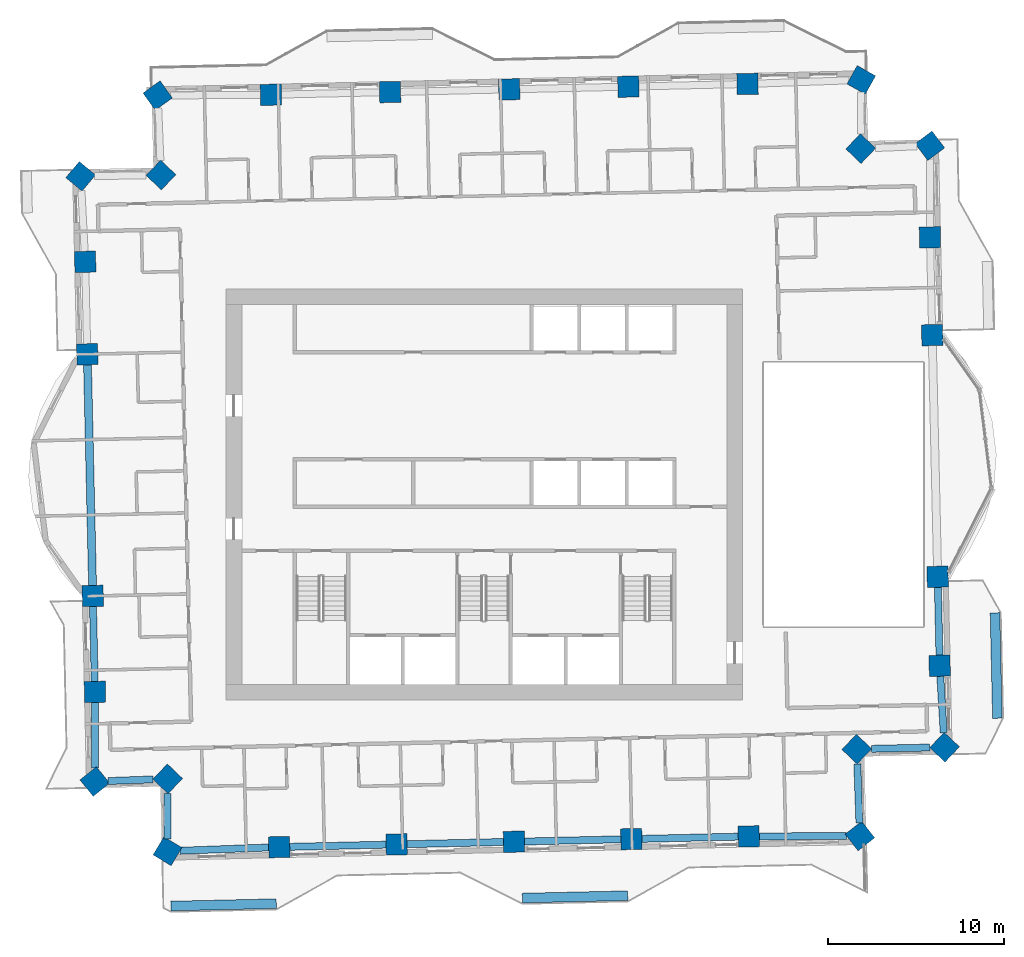
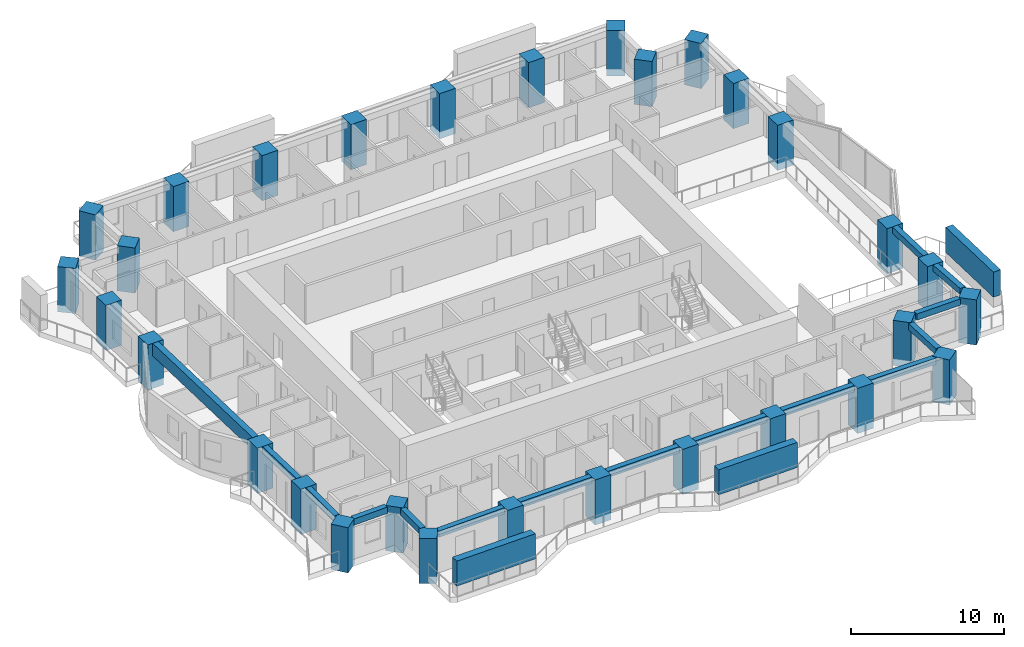
# One storey, part 1 of 16: 30 columns, 15 beams, 3 members.
"""IFC4 building model written with IfcOpenShell, lengths in metres."""

from ifc_helpers import new_model, si_unit, direction, frame, origin, origin_2d, place, context, subcontext, project, spatial, rectangle, extrude, material, material_profile, profile_set, type_object, element, save


model = new_model("IFC4")

# Units and contexts
model_context = context("Model", 3, precision=1e-05, world=origin(), true_north=direction((0.0, 1.0)))
body_context = subcontext(model_context, "Body", "Model", "MODEL_VIEW")
ifc_project = project(units=[si_unit("LENGTHUNIT", "METRE"), si_unit("AREAUNIT", "SQUARE_METRE"), si_unit("VOLUMEUNIT", "CUBIC_METRE"), si_unit("PLANEANGLEUNIT", "RADIAN"), si_unit("MASSUNIT", "GRAM", prefix="KILO")], contexts=[model_context])

# Site, building, storey
site_placement = place(None, origin())
site = spatial("IfcSite", under=ifc_project, at=site_placement, CompositionType="ELEMENT")
building_placement = place(site_placement, origin())
building = spatial("IfcBuilding", under=site, at=building_placement, Name="Mangrove Gate Tower", CompositionType="ELEMENT")
storey_placement = place(building_placement, frame((0.0, 0.0, 189.699951171875)))
storey = spatial("IfcBuildingStorey", under=building, at=storey_placement, Name="L48", CompositionType="ELEMENT", Elevation=189.699951171875)

# Columns
ifc_material_1 = material(Name="Concrete C60/75", Category="concrete")
ifc_material_profile_1 = material_profile(ifc_material_1, rectangle(XDim=1.199951171875, YDim=1.199951171875, at=origin_2d()))
ifc_profile_set_1 = profile_set([ifc_material_profile_1], Name="Concrete C60/75")
column_type = type_object("IfcColumnType", Name="Column RC 1200x1200 C60/75", PredefinedType="COLUMN", material=ifc_profile_set_1)
for number, where, z_axis, x_axis, name in (
    (1, (-22.278076171875, -5.769287109375, -0.550048828125), (0.0, 0.0, 1.0), (0.022693021881, -0.999742480221, 0.0), "Column L48 W05"),
    (2, (-22.154052734375, -11.2294921875, -0.550048828125), (0.0, 0.0, 1.0), (0.022702688514, -0.999742260752, 0.0), "Column L48 W06"),
    (3, (-22.162841796875, -16.32763671875, -0.550048828125), (0.0, 0.0, 1.0), (0.627363756843, -0.778726342562, 0.0), "Column L48 W07"),
    (4, (-18.016357421875, -16.17529296875, -0.550048828125), (0.0, 0.0, 1.0), (0.722919671176, -0.69093208713, 0.0), "Column L48 W08"),
    (5, (-18.0283203125, -20.29296875, -0.550048828125), (0.0, 0.0, 1.0), (0.858408426084, -0.512966835213, 0.0), "Column L48 S01"),
    (6, (-11.670654296875, -20.05712890625, -0.550048828125), (0.0, 0.0, 1.0), (0.99974280054, 0.022678905801, 0.0), "Column L48 S02"),
    (7, (-4.99267578125, -19.9052734375, -0.550048828125), (0.0, 0.0, 1.0), (0.999741061935, 0.022755418739, 0.0), "Column L48 S03"),
    (8, (1.685302734375, -19.753173828125, -0.550048828125), (0.0, 0.0, 1.0), (0.99974280054, 0.022678905801, 0.0), "Column L48 S04"),
    (9, (8.364501953125, -19.60205078125, -0.550048828125), (0.0, 0.0, 1.0), (0.99974280054, 0.022678905801, 0.0), "Column L48 S05"),
    (10, (15.04248046875, -19.4501953125, -0.550048828125), (0.0, 0.0, 1.0), (0.999742762144, 0.022680598335, 0.0), "Column L48 S06"),
    (11, (21.36376953125, -19.427001953125, -0.550048828125), (0.0, 0.0, 1.0), (0.786796358031, 0.617212678895, 0.0), "Column L48 S07"),
    (12, (21.187255859375, -14.485595703125, -0.550048828125), (0.0, 0.0, 1.0), (0.690872556232, 0.722976563275, 0.0), "Column L48 E01"),
    (13, (26.1826171875, -14.375244140625, -0.550048828125), (0.0, 0.0, 1.0), (0.686359333294, 0.727262583666, 0.0), "Column L48 E02"),
    (14, (25.904052734375, -9.739501953125, -0.550048828125), (0.0, 0.0, 1.0), (-0.022618201372, 0.99974417576, 0.0), "Column L48 E03"),
    (15, (25.7900390625, -4.678466796875, -0.550048828125), (0.0, 0.0, 1.0), (-0.022642926354, 0.999743616077, 0.0), "Column L48 E04"),
    (16, (25.478271484375, 9.0693359375, -0.550048828125), (0.0, 0.0, 1.0), (-0.022730815961, 0.999741621623, 0.0), "Column L48 E05"),
    (17, (25.35107421875, 14.62939453125, -0.550048828125), (0.0, 0.0, 1.0), (-0.022743867649, 0.999741324786, 0.0), "Column L48 E06"),
    (18, (25.345947265625, 19.8427734375, -0.550048828125), (0.0, 0.0, 1.0), (-0.60202964529, 0.798473735443, 0.0), "Column L48 E07"),
    (19, (21.411376953125, 19.68017578125, -0.550048828125), (0.0, 0.0, 1.0), (-0.722837628433, 0.691017917945, 0.0), "Column L48 E08"),
    (20, (21.44287109375, 23.58935546875, -0.550048828125), (0.0, 0.0, 1.0), (-0.87259482079, 0.488444755045, 0.0), "Column L48 N01"),
    (21, (14.970703125, 23.359130859375, -0.550048828125), (0.0, 0.0, 1.0), (-0.99974202573, -0.022713035648, 0.0), "Column L48 N02"),
    (22, (8.192626953125, 23.205078125, -0.550048828125), (0.0, 0.0, 1.0), (-0.999741987673, -0.022714710732, 0.0), "Column L48 N03"),
    (23, (1.41455078125, 23.05126953125, -0.550048828125), (0.0, 0.0, 1.0), (-0.999741987673, -0.022714710732, 0.0), "Column L48 N04"),
    (24, (-5.363525390625, 22.897216796875, -0.550048828125), (0.0, 0.0, 1.0), (-0.99974369748, -0.022639331897, 0.0), "Column L48 N05"),
    (25, (-12.142333984375, 22.744140625, -0.550048828125), (0.0, 0.0, 1.0), (-0.99974369748, -0.022639331897, 0.0), "Column L48 N06"),
    (26, (-18.5859375, 22.701171875, -0.550048828125), (0.0, 0.0, 1.0), (-0.814549066691, -0.580094662924, 0.0), "Column L48 N07"),
    (27, (-18.396240234375, 18.176513671875, -0.550048828125), (0.0, 0.0, 1.0), (-0.690859559249, -0.722988982899, 0.0), "Column L48 W01"),
    (28, (-22.967529296875, 18.1025390625, -0.550048828125), (0.0, 0.0, 1.0), (-0.640873753585, -0.767646293527, 0.0), "Column L48 W02"),
    (29, (-22.709228515625, 13.239501953125, -0.550048828125), (0.0, 0.0, 1.0), (0.022613490188, -0.999744282335, 0.0), "Column L48 W03"),
    (30, (-22.590087890625, 7.978515625, -0.550048828125), (0.0, 0.0, 1.0), (0.022667651322, -0.999743055782, 0.0), "Column L48 W04"),
):
    element("IfcColumn", number, at=place(storey_placement, frame(where, z_axis=z_axis, x_axis=x_axis)), inside=storey, type_object=column_type, Name=name, PredefinedType="COLUMN", context=body_context, shape_type="SweptSolid", body=[
        extrude(rectangle(XDim=1.199951171875, YDim=1.199951171875, at=origin_2d()), origin(), (0.0, 0.0, 1.0), 3.60009765625),
    ])

# Members
ifc_material_2 = material(Name="Planting on aluminium trellis", Category="aluminium")
ifc_material_profile_2 = material_profile(ifc_material_2, rectangle(XDim=0.550048828125, YDim=2.0, at=origin_2d()))
ifc_profile_set_2 = profile_set([ifc_material_profile_2], Name="Planting on aluminium trellis")
member_type = type_object("IfcMemberType", Name="Balcony greenery screen 550x2000", PredefinedType="USERDEFINED", material=ifc_profile_set_2)
member_placement = place(storey_placement, frame((29.18798828125, -12.72802734375, 1.800048828125), z_axis=(-0.022662255828, 0.999743178102, 0.0), x_axis=(-0.999743178102, -0.022662255828, 0.0)))
element("IfcMember", 31, at=member_placement, inside=storey, type_object=member_type, Name="GREEN SCREEN L48 E0.1", ObjectType="PLANTING", PredefinedType="USERDEFINED", context=body_context, shape_type="SweptSolid", body=[
    extrude(rectangle(XDim=0.550048828125, YDim=2.0, at=origin_2d()), origin(), (0.0, 0.0, 1.0), 6.00048828125),
])
for number, where, z_axis, x_axis, name in (
    (32, (-17.8359375, -23.412109375, 1.800048828125), (0.999742171567, 0.022706615587, 0.0), (-0.022706615587, 0.999742171567, 0.0), "GREEN SCREEN L48 S0.1"),
    (33, (2.158935546875, -22.958984375, 1.800048828125), (0.999743094499, 0.022665943652, 0.0), (-0.022665943652, 0.999743094499, 0.0), "GREEN SCREEN L48 S1.1"),
):
    element("IfcMember", number, at=place(storey_placement, frame(where, z_axis=z_axis, x_axis=x_axis)), inside=storey, type_object=member_type, Name=name, ObjectType="PLANTING", PredefinedType="USERDEFINED", context=body_context, shape_type="SweptSolid", body=[
        extrude(rectangle(XDim=0.550048828125, YDim=2.0, at=origin_2d()), origin(), (0.0, 0.0, 1.0), 5.99951171875),
    ])

# Beams
ifc_material_3 = material(Name="Concrete C50/60", Category="concrete")
ifc_material_profile_3 = material_profile(ifc_material_3, rectangle(XDim=0.39990234375, YDim=0.5, at=origin_2d()))
ifc_profile_set_3 = profile_set([ifc_material_profile_3], Name="Concrete C50/60")
beam_type_1 = type_object("IfcBeamType", Name="Edge beam RC 400x500 C50/60", PredefinedType="BEAM", material=ifc_profile_set_3)
beam_1_placement = place(storey_placement, frame((-22.2646484375, -6.369140625, 2.800048828125), z_axis=(0.022743528108, -0.99974133251, 0.0), x_axis=(0.99974133251, 0.022743528108, 0.0)))
element("IfcBeam", 34, at=beam_1_placement, inside=storey, type_object=beam_type_1, Name="Edge beam L48 00", PredefinedType="BEAM", context=body_context, shape_type="SweptSolid", body=[
    extrude(rectangle(XDim=0.39990234375, YDim=0.5, at=origin_2d()), origin(), (0.0, 0.0, 1.0), 4.26171875),
])
beam_2_placement = place(storey_placement, frame((-22.1552734375, -11.82958984375, 2.800048828125), z_axis=(-0.001637838474, -0.999998658742, 0.0), x_axis=(0.999998658742, -0.001637838474, 0.0)))
element("IfcBeam", 35, at=beam_2_placement, inside=storey, type_object=beam_type_1, Name="Edge beam L48 01", PredefinedType="BEAM", context=body_context, shape_type="SweptSolid", body=[
    extrude(rectangle(XDim=0.39990234375, YDim=0.5, at=origin_2d()), origin(), (0.0, 0.0, 1.0), 3.7265625),
])
beam_3_placement = place(storey_placement, frame((-21.414306640625, -16.300048828125, 2.800048828125), z_axis=(0.999327431399, 0.036669944824, 0.0), x_axis=(-0.036669944824, 0.999327431399, 0.0)))
element("IfcBeam", 36, at=beam_3_placement, inside=storey, type_object=beam_type_1, Name="Edge beam L48 02", PredefinedType="BEAM", context=body_context, shape_type="SweptSolid", body=[
    extrude(rectangle(XDim=0.39990234375, YDim=0.5, at=origin_2d()), origin(), (0.0, 0.0, 1.0), 2.563232421875),
])
beam_4_placement = place(storey_placement, frame((-18.018798828125, -17.0029296875, 2.800048828125), z_axis=(-0.002825379568, -0.999996008607, 0.0), x_axis=(0.999996008607, -0.002825379568, 0.0)))
element("IfcBeam", 37, at=beam_4_placement, inside=storey, type_object=beam_type_1, Name="Edge beam L48 03", PredefinedType="BEAM", context=body_context, shape_type="SweptSolid", body=[
    extrude(rectangle(XDim=0.39990234375, YDim=0.5, at=origin_2d()), origin(), (0.0, 0.0, 1.0), 2.59228515625),
])
beam_5_placement = place(storey_placement, frame((-17.3134765625, -20.266357421875, 2.800048828125), z_axis=(0.999313176036, 0.03705639216, 0.0), x_axis=(-0.03705639216, 0.999313176036, 0.0)))
element("IfcBeam", 38, at=beam_5_placement, inside=storey, type_object=beam_type_1, Name="Edge beam L48 04", PredefinedType="BEAM", context=body_context, shape_type="SweptSolid", body=[
    extrude(rectangle(XDim=0.39990234375, YDim=0.5, at=origin_2d()), origin(), (0.0, 0.0, 1.0), 5.046630859375),
])
for number, where, z_axis, x_axis, name in (
    (39, (-11.07080078125, -20.04345703125, 2.800048828125), (0.999740799445, 0.022766948104, 0.0), (-0.022766948104, 0.999740799445, 0.0), "Edge beam L48 05"),
    (40, (-4.392822265625, -19.8916015625, 2.800048828125), (0.999740799445, 0.022766948104, 0.0), (-0.022766948104, 0.999740799445, 0.0), "Edge beam L48 06"),
):
    element("IfcBeam", number, at=place(storey_placement, frame(where, z_axis=z_axis, x_axis=x_axis)), inside=storey, type_object=beam_type_1, Name=name, PredefinedType="BEAM", context=body_context, shape_type="SweptSolid", body=[
        extrude(rectangle(XDim=0.39990234375, YDim=0.5, at=origin_2d()), origin(), (0.0, 0.0, 1.0), 5.479736328125),
    ])
beam_6_placement = place(storey_placement, frame((2.28515625, -19.739501953125, 2.800048828125), z_axis=(0.999744953581, 0.022583794843, 0.0), x_axis=(-0.022583794843, 0.999744953581, 0.0)))
element("IfcBeam", 41, at=beam_6_placement, inside=storey, type_object=beam_type_1, Name="Edge beam L48 07", PredefinedType="BEAM", context=body_context, shape_type="SweptSolid", body=[
    extrude(rectangle(XDim=0.39990234375, YDim=0.5, at=origin_2d()), origin(), (0.0, 0.0, 1.0), 5.48095703125),
])
beam_7_placement = place(storey_placement, frame((8.96435546875, -19.588623046875, 2.800048828125), z_axis=(0.999740799445, 0.022766948104, 0.0), x_axis=(-0.022766948104, 0.999740799445, 0.0)))
element("IfcBeam", 42, at=beam_7_placement, inside=storey, type_object=beam_type_1, Name="Edge beam L48 08", PredefinedType="BEAM", context=body_context, shape_type="SweptSolid", body=[
    extrude(rectangle(XDim=0.39990234375, YDim=0.5, at=origin_2d()), origin(), (0.0, 0.0, 1.0), 5.479736328125),
])
beam_8_placement = place(storey_placement, frame((15.642578125, -19.447998046875, 2.800048828125), z_axis=(0.999993187862, 0.003691101387, 0.0), x_axis=(-0.003691101387, 0.999993187862, 0.0)))
element("IfcBeam", 43, at=beam_8_placement, inside=storey, type_object=beam_type_1, Name="Edge beam L48 09", PredefinedType="BEAM", context=body_context, shape_type="SweptSolid", body=[
    extrude(rectangle(XDim=0.39990234375, YDim=0.5, at=origin_2d()), origin(), (0.0, 0.0, 1.0), 4.960693359375),
])
beam_9_placement = place(storey_placement, frame((21.337158203125, -18.68505859375, 2.800048828125), z_axis=(-0.035701883706, 0.999362484537, 0.0), x_axis=(-0.999362484537, -0.035701883706, 0.0)))
element("IfcBeam", 44, at=beam_9_placement, inside=storey, type_object=beam_type_1, Name="Edge beam L48 10", PredefinedType="BEAM", context=body_context, shape_type="SweptSolid", body=[
    extrude(rectangle(XDim=0.39990234375, YDim=0.5, at=origin_2d()), origin(), (0.0, 0.0, 1.0), 3.364501953125),
])
beam_10_placement = place(storey_placement, frame((22.034912109375, -14.466796875, 2.800048828125), z_axis=(0.99975619393, 0.022080595508, 0.0), x_axis=(-0.022080595508, 0.99975619393, 0.0)))
element("IfcBeam", 45, at=beam_10_placement, inside=storey, type_object=beam_type_1, Name="Edge beam L48 11", PredefinedType="BEAM", context=body_context, shape_type="SweptSolid", body=[
    extrude(rectangle(XDim=0.39990234375, YDim=0.5, at=origin_2d()), origin(), (0.0, 0.0, 1.0), 3.305908203125),
])
beam_11_placement = place(storey_placement, frame((26.13330078125, -13.55322265625, 2.800048828125), z_axis=(-0.059970856871, 0.998200128394, 0.0), x_axis=(-0.998200128394, -0.059970856871, 0.0)))
element("IfcBeam", 46, at=beam_11_placement, inside=storey, type_object=beam_type_1, Name="Edge beam L48 12", PredefinedType="BEAM", context=body_context, shape_type="SweptSolid", body=[
    extrude(rectangle(XDim=0.39990234375, YDim=0.5, at=origin_2d()), origin(), (0.0, 0.0, 1.0), 3.22021484375),
])
beam_12_placement = place(storey_placement, frame((25.890625, -9.1396484375, 2.800048828125), z_axis=(-0.022503151924, 0.999746772015, 0.0), x_axis=(-0.999746772015, -0.022503151924, 0.0)))
element("IfcBeam", 47, at=beam_12_placement, inside=storey, type_object=beam_type_1, Name="Edge beam L48 13", PredefinedType="BEAM", context=body_context, shape_type="SweptSolid", body=[
    extrude(rectangle(XDim=0.39990234375, YDim=0.5, at=origin_2d()), origin(), (0.0, 0.0, 1.0), 3.8623046875),
])
ifc_material_4 = material(Name="Concrete C50/60", Category="concrete")
ifc_material_profile_4 = material_profile(ifc_material_4, rectangle(XDim=0.449951171875, YDim=1.0, at=origin_2d()))
ifc_profile_set_4 = profile_set([ifc_material_profile_4], Name="Concrete C50/60")
beam_type_2 = type_object("IfcBeamType", Name="Edge beam RC 450x1000 C50/60", PredefinedType="BEAM", material=ifc_profile_set_4)
beam_13_placement = place(storey_placement, frame((-22.57666015625, 7.378662109375, 2.550048828125), z_axis=(0.022699754772, -0.999742327369, 0.0), x_axis=(0.999742327369, 0.022699754772, 0.0)))
element("IfcBeam", 48, at=beam_13_placement, inside=storey, type_object=beam_type_2, Name="Edge beam L48 29", PredefinedType="BEAM", context=body_context, shape_type="SweptSolid", body=[
    extrude(rectangle(XDim=0.449951171875, YDim=1.0, at=origin_2d()), origin(), (0.0, 0.0, 1.0), 12.55126953125),
])

save(model, "model.ifc")
